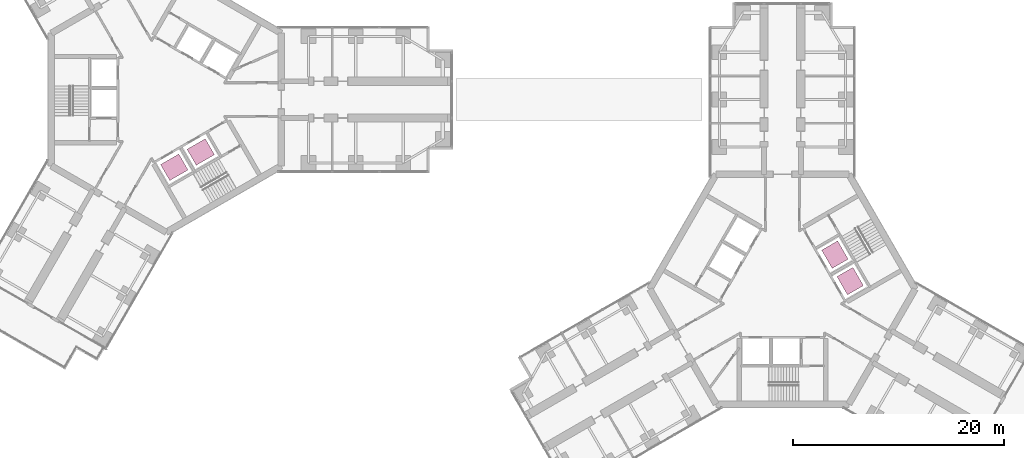
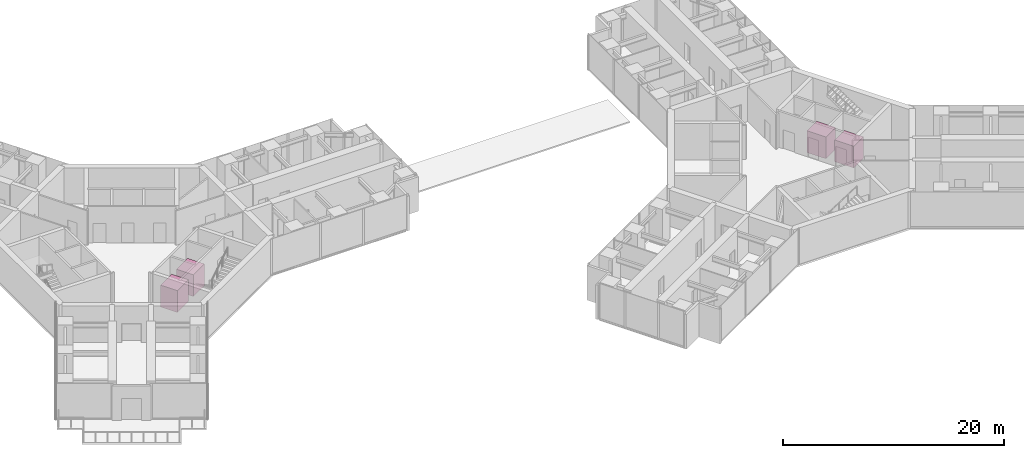
# One storey, part 22 of 22: 4 transport elements.
"""IFC4 building model written with IfcOpenShell, lengths in metres."""

from ifc_helpers import new_model, si_unit, direction, frame, origin, origin_2d, place, context, subcontext, project, spatial, rectangle, extrude, material, type_object, element, save


model = new_model("IFC4")

# Units and contexts
model_context = context("Model", 3, precision=1e-05, world=origin(), true_north=direction((0.0, 1.0)))
body_context = subcontext(model_context, "Body", "Model", "MODEL_VIEW")
ifc_project = project(units=[si_unit("LENGTHUNIT", "METRE"), si_unit("AREAUNIT", "SQUARE_METRE"), si_unit("VOLUMEUNIT", "CUBIC_METRE"), si_unit("PLANEANGLEUNIT", "RADIAN"), si_unit("MASSUNIT", "GRAM", prefix="KILO")], contexts=[model_context])

# Site, building, storey
site_placement = place(None, origin())
site = spatial("IfcSite", under=ifc_project, at=site_placement, CompositionType="ELEMENT")
building_placement = place(site_placement, origin())
building = spatial("IfcBuilding", under=site, at=building_placement, Name="Upepo Twin Towers", CompositionType="ELEMENT")
storey_placement = place(building_placement, frame((0.0, 0.0, 97.5)))
storey = spatial("IfcBuildingStorey", under=building, at=storey_placement, Name="L23", CompositionType="ELEMENT", Elevation=97.5)

# Transport elements
ifc_material = material(Name="Steel lift car", Category="steel")
transport_element_type = type_object("IfcTransportElementType", Name="Passenger lift 1600 kg", PredefinedType="ELEVATOR", material=ifc_material)
for number, where, z_axis, x_axis, name in (
    (1, (0.7666015625, -6.427734375, 0.0), (0.0, 0.0, 1.0), (0.866025403784, 0.5, 0.0), "T1 lift ML1"),
    (2, (3.278076171875, -4.977783203125, 0.0), (0.0, 0.0, 1.0), (0.866025403784, 0.5, 0.0), "T1 lift ML2"),
    (3, (64.927734375, -17.2333984375, 0.0), (0.0, 0.0, 1.0), (-0.5, 0.866025403784, 0.0), "T2 lift ML1"),
    (4, (63.477783203125, -14.721923828125, 0.0), (0.0, 0.0, 1.0), (-0.5, 0.866025403784, 0.0), "T2 lift ML2"),
):
    element("IfcTransportElement", number, at=place(storey_placement, frame(where, z_axis=z_axis, x_axis=x_axis)), inside=storey, type_object=transport_element_type, Name=name, PredefinedType="ELEVATOR", context=body_context, shape_type="SweptSolid", body=[
        extrude(rectangle(XDim=2.0, YDim=1.75, at=origin_2d()), origin(), (0.0, 0.0, 1.0), 2.39990234375),
    ])

save(model, "model.ifc")
